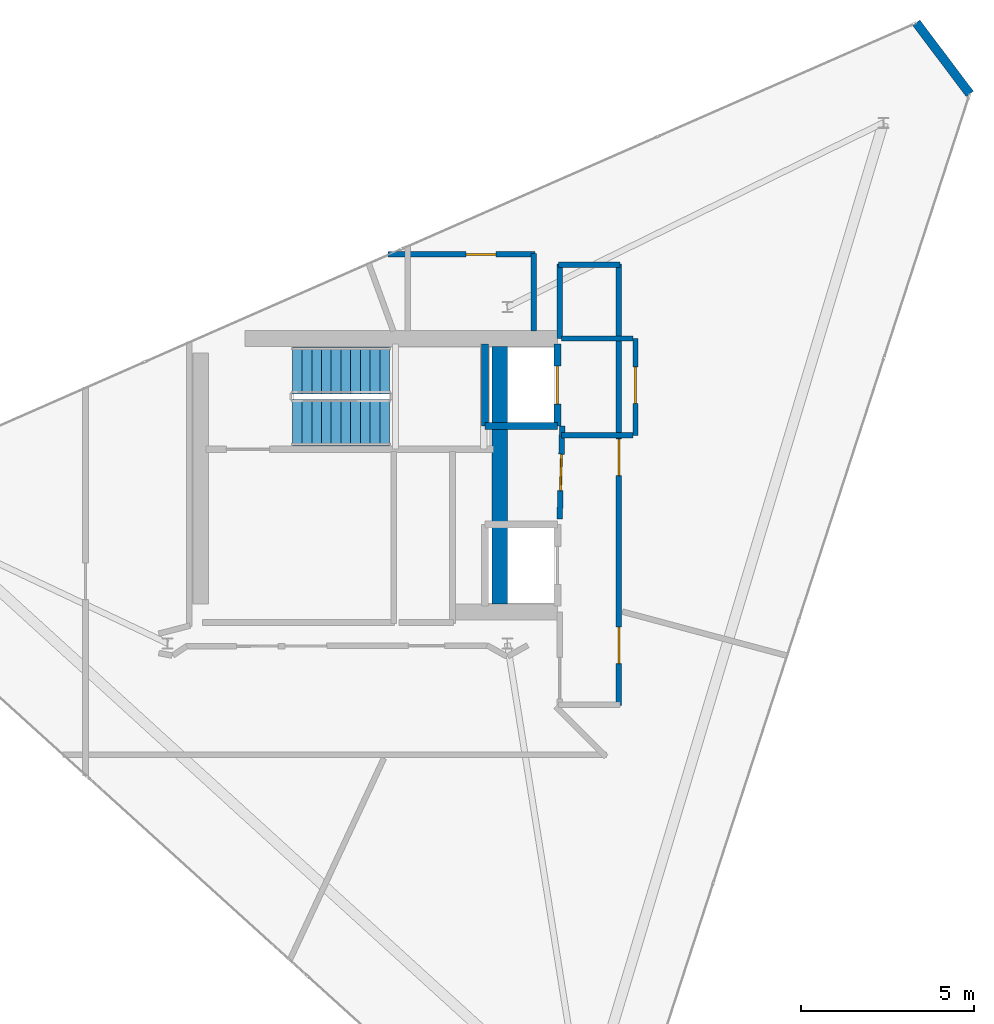
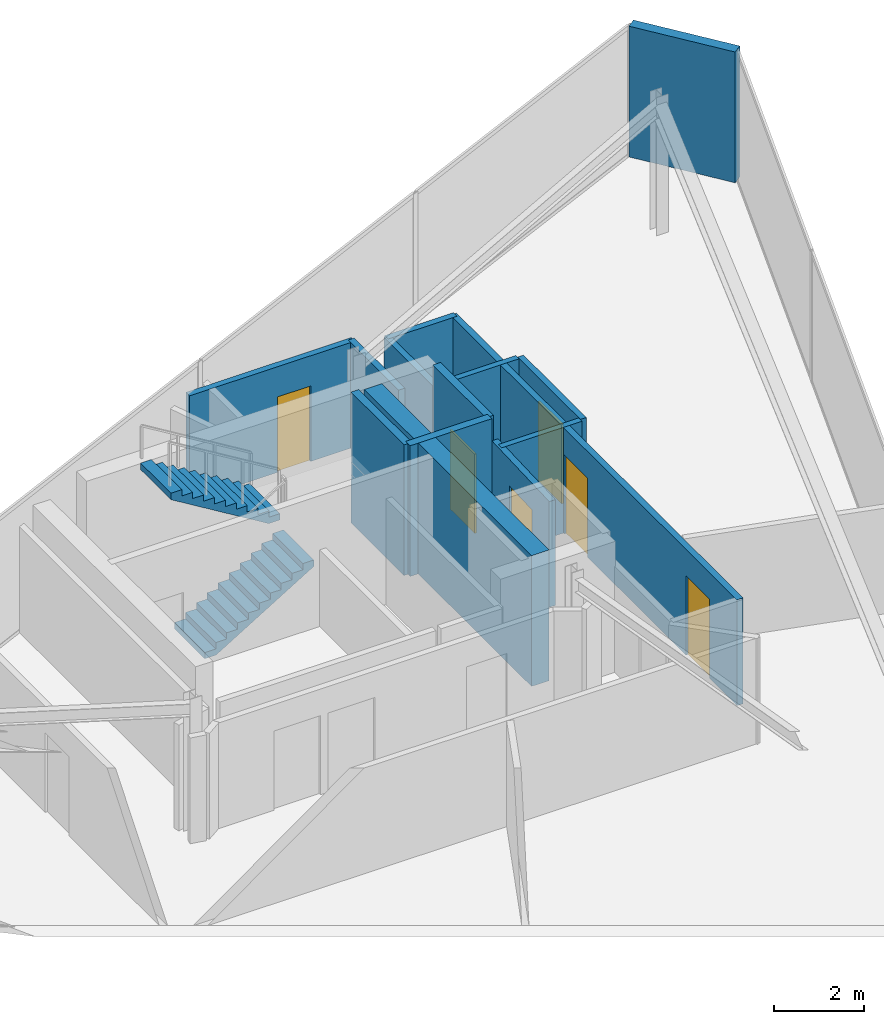
# One storey, part 13 of 14: 14 walls, 6 doors, 2 stair flights, 6 openings, 1 element without a shape of its own.
"""IFC4 building model written with IfcOpenShell, lengths in metres."""

from ifc_helpers import new_model, si_unit, direction, frame, frame_2d, origin, place, context, subcontext, project, spatial, polyline, rectangle, outline, extrude, material, layer, layer_set, type_object, element, fill, aggregate, save


model = new_model("IFC4")

# Units and contexts
model_context = context("Model", 3, precision=1e-05, world=origin(), true_north=direction((0.0, 1.0)))
body_context = subcontext(model_context, "Body", "Model", "MODEL_VIEW")
ifc_project = project(units=[si_unit("LENGTHUNIT", "METRE"), si_unit("AREAUNIT", "SQUARE_METRE"), si_unit("VOLUMEUNIT", "CUBIC_METRE"), si_unit("PLANEANGLEUNIT", "RADIAN"), si_unit("MASSUNIT", "GRAM", prefix="KILO")], contexts=[model_context])

# Site, building, storey
site_placement = place(None, origin())
site = spatial("IfcSite", under=ifc_project, at=site_placement, CompositionType="ELEMENT")
building_placement = place(site_placement, origin())
building = spatial("IfcBuilding", under=site, at=building_placement, Name="Qianvela Tower", CompositionType="ELEMENT")
storey_placement = place(building_placement, frame((0.0, 0.0, 371.300048828125)))
storey = spatial("IfcBuildingStorey", under=building, at=storey_placement, Name="L96", CompositionType="ELEMENT", Elevation=371.300048828125)

# Walls
ifc_material_1 = material(Name="Terracotta Cladding on Concrete C40", Category="masonry")
ifc_layer_1 = layer(ifc_material_1, 0.260009765625)
ifc_layer_set_1 = layer_set([ifc_layer_1], Name="Terracotta Cladding on Concrete C40")
wall_type_1 = type_object("IfcWallType", Name="TERRACOTTA-WALL-260", PredefinedType="SOLIDWALL", material=ifc_layer_set_1)
wall_1_placement = place(storey_placement, frame((51.74365234375, 39.701904296875, 0.0), z_axis=(0.0, 0.0, 1.0), x_axis=(-0.601640351367, 0.798767104736, 0.0)))
element("IfcWall", 1, at=wall_1_placement, inside=storey, type_object=wall_type_1, Name="L96 Crown Terracotta Cladding Wall 1", PredefinedType="SOLIDWALL", context=body_context, shape_type="SweptSolid", body=[
    extrude(rectangle(XDim=2.56982421875, YDim=0.260009765625, at=frame_2d((1.284912109375, 0.0))), origin(), (0.0, 0.0, 1.0), 3.550048828125),
])
ifc_material_2 = material(Name="Concrete C50", Category="concrete")
ifc_layer_2 = layer(ifc_material_2, 0.449951171875)
ifc_layer_set_2 = layer_set([ifc_layer_2], Name="Concrete C50")
wall_type_2 = type_object("IfcWallType", Name="WT-CORE-450", PredefinedType="SHEAR", material=ifc_layer_set_2)
wall_2_placement = place(storey_placement, frame((38.179931640625, 24.97998046875, 0.0), z_axis=(0.0, 0.0, 1.0), x_axis=(0.0, 1.0, 0.0)))
element("IfcWall", 2, at=wall_2_placement, inside=storey, type_object=wall_type_2, Name="L96 East Spine Core Shear Wall", PredefinedType="SHEAR", context=body_context, shape_type="SweptSolid", body=[
    extrude(rectangle(XDim=7.43994140625, YDim=0.449951171875, at=frame_2d((3.719970703125, 0.0))), origin(), (0.0, 0.0, 1.0), 3.550048828125),
])

# Wall, opening, door
ifc_material_3 = material(Name="Fire-Rated Acoustic Gypsum Board")
ifc_layer_3 = layer(ifc_material_3, 0.14990234375)
ifc_layer_set_3 = layer_set([ifc_layer_3], Name="Fire-Rated Acoustic Gypsum Board")
wall_type_3 = type_object("IfcWallType", Name="WT-CORR-150", PredefinedType="PARTITIONING", material=ifc_layer_set_3)
wall_3_placement = place(storey_placement, frame((42.10009765625, 29.85009765625, 0.0), z_axis=(0.0, 0.0, 1.0), x_axis=(0.0, 1.0, 0.0)))
wall_3 = element("IfcWall", 3, at=wall_3_placement, inside=storey, type_object=wall_type_3, Name="L96 Crown Mechanical Plant Partition 1", PredefinedType="PARTITIONING", context=body_context, shape_type="SweptSolid", body=[
    extrude(rectangle(XDim=2.794921875, YDim=0.14990234375, at=frame_2d((1.3974609375, 0.0))), origin(), (0.0, 0.0, 1.0), 2.869873046875),
])
opening_1_placement = place(wall_3_placement, frame((0.925048828125, 0.0, 0.0)))
opening_1 = element("IfcOpeningElement", 4, at=opening_1_placement, cuts=wall_3, Name="Opening D-PL1", PredefinedType="OPENING", context=body_context, shape_type="SweptSolid", body=[
    extrude(rectangle(XDim=1.050048828125, YDim=2.14990234375, at=frame_2d((0.52490234375, 1.074951171875))), frame((0.0, 0.0849609375, 0.0), z_axis=(0.0, -1.0, 0.0), x_axis=(1.0, 0.0, 0.0)), (0.0, 0.0, 1.0), 0.169921875),
])
ifc_material_4 = material(Name="Insulated Steel Fire Door Q355B", Category="steel")
door_type_1 = type_object("IfcDoorType", Name="DT-PLANT-FD90", OperationType="NOTDEFINED", PredefinedType="DOOR", material=ifc_material_4)
door_1_placement = place(opening_1_placement, origin())
door_1 = element("IfcDoor", 5, at=door_1_placement, inside=storey, type_object=door_type_1, Name="L96 Crown Mechanical Plant Room Door", OperationType="SINGLE_SWING_LEFT", OverallHeight=2.14990234375, OverallWidth=1.050048828125, PredefinedType="DOOR", context=body_context, shape_type="SweptSolid", body=[
    extrude(rectangle(XDim=1.050048828125, YDim=2.14990234375, at=frame_2d((0.52490234375, 1.074951171875))), frame((0.0, 0.02490234375, 0.0), z_axis=(0.0, -1.0, 0.0), x_axis=(1.0, 0.0, 0.0)), (0.0, 0.0, 1.0), 0.050048828125),
])
fill(opening_1, door_1)

# Walls
for number, where, z_axis, x_axis, name in (
    (6, (39.9599609375, 29.85009765625, 0.0), (0.0, 0.0, 1.0), (1.0, 0.0, 0.0), "L96 Crown Mechanical Plant Partition 2"),
    (7, (39.9599609375, 32.64501953125, 0.0), (0.0, 0.0, 1.0), (1.0, 0.0, 0.0), "L96 Crown Mechanical Plant Partition 3"),
):
    element("IfcWall", number, at=place(storey_placement, frame(where, z_axis=z_axis, x_axis=x_axis)), inside=storey, type_object=wall_type_3, Name=name, PredefinedType="PARTITIONING", context=body_context, shape_type="SweptSolid", body=[
        extrude(rectangle(XDim=2.06005859375, YDim=0.14990234375, at=frame_2d((1.030029296875, 0.0))), origin(), (0.0, 0.0, 1.0), 2.869873046875),
    ])

# Wall, opening, door
ifc_material_5 = material(Name="Fire-Rated Gypsum and Concrete Block", Category="concrete")
ifc_layer_4 = layer(ifc_material_5, 0.159912109375)
ifc_layer_set_4 = layer_set([ifc_layer_4], Name="Fire-Rated Gypsum and Concrete Block")
wall_type_4 = type_object("IfcWallType", Name="WT-CORR-160", PredefinedType="PARTITIONING", material=ifc_layer_set_4)
wall_4_placement = place(storey_placement, frame((39.910888671875, 27.439208984375, 0.0), z_axis=(0.0, 0.0, 1.0), x_axis=(0.027673579092, 0.999617013171, 0.0)))
wall_4 = element("IfcWall", 8, at=wall_4_placement, inside=storey, type_object=wall_type_4, Name="L96 Partition 7 seg 1", PredefinedType="PARTITIONING", context=body_context, shape_type="SweptSolid", body=[
    extrude(rectangle(XDim=2.681884765625, YDim=0.159912109375, at=frame_2d((1.3408203125, 0.0))), origin(), (0.0, 0.0, 1.0), 2.869873046875),
])
opening_2_placement = place(wall_4_placement, frame((0.81591796875, 0.0, 0.0)))
opening_2 = element("IfcOpeningElement", 9, at=opening_2_placement, cuts=wall_4, Name="Opening D-PL1", PredefinedType="OPENING", context=body_context, shape_type="SweptSolid", body=[
    extrude(rectangle(XDim=1.050048828125, YDim=2.14990234375, at=frame_2d((0.52490234375, 1.074951171875))), frame((0.0, 0.08984375, 0.0), z_axis=(0.0, -1.0, 0.0), x_axis=(1.0, 0.0, 0.0)), (0.0, 0.0, 1.0), 0.179931640625),
])
door_2_placement = place(opening_2_placement, origin())
door_2 = element("IfcDoor", 10, at=door_2_placement, inside=storey, type_object=door_type_1, Name="L96 Door L96 Crown Heat Recovery Mechanical Plant Room to L96 Lift Lobby", OperationType="SINGLE_SWING_LEFT", OverallHeight=2.14990234375, OverallWidth=1.050048828125, PredefinedType="DOOR", context=body_context, shape_type="SweptSolid", body=[
    extrude(rectangle(XDim=1.050048828125, YDim=2.14990234375, at=frame_2d((0.52490234375, 1.074951171875))), frame((0.0, 0.02490234375, 0.0), z_axis=(0.0, -1.0, 0.0), x_axis=(1.0, 0.0, 0.0)), (0.0, 0.0, 1.0), 0.050048828125),
])
fill(opening_2, door_2)

# Walls
wall_5_placement = place(storey_placement, frame((39.910888671875, 32.639892578125, 0.0), z_axis=(0.0, 0.0, 1.0), x_axis=(0.0, 1.0, 0.0)))
element("IfcWall", 11, at=wall_5_placement, inside=storey, type_object=wall_type_4, Name="L96 Partition 8", PredefinedType="PARTITIONING", context=body_context, shape_type="SweptSolid", body=[
    extrude(rectangle(XDim=2.16015625, YDim=0.159912109375, at=frame_2d((1.080078125, 0.0))), origin(), (0.0, 0.0, 1.0), 2.869873046875),
])
wall_6_placement = place(storey_placement, frame((39.8798828125, 34.76904296875, 0.0), z_axis=(0.0, 0.0, 1.0), x_axis=(1.0, 0.0, 0.0)))
element("IfcWall", 12, at=wall_6_placement, inside=storey, type_object=wall_type_4, Name="L96 Partition 9", PredefinedType="PARTITIONING", context=body_context, shape_type="SweptSolid", body=[
    extrude(rectangle(XDim=1.77001953125, YDim=0.159912109375, at=frame_2d((0.885009765625, 0.0))), origin(), (0.0, 0.0, 1.0), 2.869873046875),
])

# Wall, openings, doors
wall_7_placement = place(storey_placement, frame((41.618896484375, 34.800048828125, 0.0), z_axis=(0.0, 0.0, 1.0), x_axis=(0.0, -1.0, 0.0)))
wall_7 = element("IfcWall", 13, at=wall_7_placement, inside=storey, type_object=wall_type_4, Name="L96 Partition 10", PredefinedType="PARTITIONING", context=body_context, shape_type="SweptSolid", body=[
    extrude(rectangle(XDim=12.75, YDim=0.159912109375, at=frame_2d((6.375, 0.0))), origin(), (0.0, 0.0, 1.0), 2.869873046875),
])
opening_3_placement = place(wall_7_placement, frame((10.482421875, 0.0, 0.0)))
opening_3 = element("IfcOpeningElement", 14, at=opening_3_placement, cuts=wall_7, Name="Opening D-PL1", PredefinedType="OPENING", context=body_context, shape_type="SweptSolid", body=[
    extrude(rectangle(XDim=1.050048828125, YDim=2.14990234375, at=frame_2d((0.52490234375, 1.074951171875))), frame((0.0, 0.08984375, 0.0), z_axis=(0.0, -1.0, 0.0), x_axis=(1.0, 0.0, 0.0)), (0.0, 0.0, 1.0), 0.179931640625),
])
opening_4_placement = place(wall_7_placement, frame((5.058837890625, 0.0, 0.0)))
opening_4 = element("IfcOpeningElement", 15, at=opening_4_placement, cuts=wall_7, Name="Opening D-PL1", PredefinedType="OPENING", context=body_context, shape_type="SweptSolid", body=[
    extrude(rectangle(XDim=1.050048828125, YDim=2.14990234375, at=frame_2d((0.52490234375, 1.074951171875))), frame((0.0, 0.08984375, 0.0), z_axis=(0.0, -1.0, 0.0), x_axis=(1.0, 0.0, 0.0)), (0.0, 0.0, 1.0), 0.179931640625),
])
door_3_placement = place(opening_3_placement, origin())
door_3 = element("IfcDoor", 16, at=door_3_placement, inside=storey, type_object=door_type_1, Name="L96 Door L96 Crown Electrical Switchgear Plant Room to L96 Lift Lobby", OperationType="SINGLE_SWING_LEFT", OverallHeight=2.14990234375, OverallWidth=1.050048828125, PredefinedType="DOOR", context=body_context, shape_type="SweptSolid", body=[
    extrude(rectangle(XDim=1.050048828125, YDim=2.14990234375, at=frame_2d((0.52490234375, 1.074951171875))), frame((0.0, 0.02490234375, 0.0), z_axis=(0.0, -1.0, 0.0), x_axis=(1.0, 0.0, 0.0)), (0.0, 0.0, 1.0), 0.050048828125),
])
fill(opening_3, door_3)
door_4_placement = place(opening_4_placement, origin())
door_4 = element("IfcDoor", 17, at=door_4_placement, inside=storey, type_object=door_type_1, Name="L96 Door L96 Crown Booster Pump Plant Room to L96 Lift Lobby", OperationType="SINGLE_SWING_RIGHT", OverallHeight=2.14990234375, OverallWidth=1.050048828125, PredefinedType="DOOR", context=body_context, shape_type="SweptSolid", body=[
    extrude(rectangle(XDim=1.050048828125, YDim=2.14990234375, at=frame_2d((0.52490234375, 1.074951171875))), frame((0.0, 0.02490234375, 0.0), z_axis=(0.0, -1.0, 0.0), x_axis=(1.0, 0.0, 0.0)), (0.0, 0.0, 1.0), 0.050048828125),
])
fill(opening_4, door_4)

# Wall, opening, door
wall_8_placement = place(storey_placement, frame((34.957275390625, 35.069091796875, 0.0), z_axis=(0.0, 0.0, 1.0), x_axis=(1.0, 0.0, 0.0)))
wall_8 = element("IfcWall", 18, at=wall_8_placement, inside=storey, type_object=wall_type_4, Name="L96 Partition 18", PredefinedType="PARTITIONING", context=body_context, shape_type="SweptSolid", body=[
    extrude(rectangle(XDim=4.24267578125, YDim=0.159912109375, at=frame_2d((2.121337890625, 0.0))), origin(), (0.0, 0.0, 1.0), 2.869873046875),
])
opening_5_placement = place(wall_8_placement, frame((2.251220703125, 0.0, 0.0)))
opening_5 = element("IfcOpeningElement", 19, at=opening_5_placement, cuts=wall_8, Name="Opening D-LB2", PredefinedType="OPENING", context=body_context, shape_type="SweptSolid", body=[
    extrude(rectangle(XDim=0.860107421875, YDim=2.050048828125, at=frame_2d((0.43017578125, 1.02490234375))), frame((0.0, 0.08984375, 0.0), z_axis=(0.0, -1.0, 0.0), x_axis=(1.0, 0.0, 0.0)), (0.0, 0.0, 1.0), 0.179931640625),
])
ifc_material_6 = material(Name="Insulated Steel Fire Door Q355B", Category="steel")
door_type_2 = type_object("IfcDoorType", Name="DT-LOBBY-FD90-860", OperationType="NOTDEFINED", PredefinedType="DOOR", material=ifc_material_6)
door_5_placement = place(opening_5_placement, origin())
door_5 = element("IfcDoor", 20, at=door_5_placement, inside=storey, type_object=door_type_2, Name="L96 Door L96 Reclaimed Shaft Equipment Store to L96 Crown Booster Pump Plant Room", OperationType="SINGLE_SWING_RIGHT", OverallHeight=2.050048828125, OverallWidth=0.860107421875, PredefinedType="DOOR", context=body_context, shape_type="SweptSolid", body=[
    extrude(rectangle(XDim=0.860107421875, YDim=2.050048828125, at=frame_2d((0.43017578125, 1.02490234375))), frame((0.0, 0.02490234375, 0.0), z_axis=(0.0, -1.0, 0.0), x_axis=(1.0, 0.0, 0.0)), (0.0, 0.0, 1.0), 0.050048828125),
])
fill(opening_5, door_5)

# Wall
wall_9_placement = place(storey_placement, frame((39.1689453125, 35.10009765625, 0.0), z_axis=(0.0, 0.0, 1.0), x_axis=(0.0, -1.0, 0.0)))
element("IfcWall", 21, at=wall_9_placement, inside=storey, type_object=wall_type_4, Name="L96 Partition 19", PredefinedType="PARTITIONING", context=body_context, shape_type="SweptSolid", body=[
    extrude(rectangle(XDim=2.2421875, YDim=0.159912109375, at=frame_2d((1.12109375, 0.0))), origin(), (0.0, 0.0, 1.0), 2.869873046875),
])

# Wall, opening, door
ifc_material_7 = material(Name="Concrete C50", Category="concrete")
ifc_layer_5 = layer(ifc_material_7, 0.199951171875)
ifc_layer_set_5 = layer_set([ifc_layer_5], Name="Concrete C50")
wall_type_5 = type_object("IfcWallType", Name="WT-SHAFT-200", PredefinedType="SOLIDWALL", material=ifc_layer_set_5)
wall_10_placement = place(storey_placement, frame((39.85009765625, 30.1201171875, 0.0), z_axis=(0.0, 0.0, 1.0), x_axis=(0.0, 1.0, 0.0)))
wall_10 = element("IfcWall", 22, at=wall_10_placement, inside=storey, type_object=wall_type_5, Name="L96 Lift FL-1 E Shaft Wall", PredefinedType="SOLIDWALL", context=body_context, shape_type="SweptSolid", body=[
    extrude(rectangle(XDim=2.35986328125, YDim=0.199951171875, at=frame_2d((1.179931640625, 0.0))), origin(), (0.0, 0.0, 1.0), 3.550048828125),
])
opening_6_placement = place(wall_10_placement, frame((0.6298828125, 0.0, 0.0)))
opening_6 = element("IfcOpeningElement", 23, at=opening_6_placement, cuts=wall_10, Name="Opening LD-01", PredefinedType="OPENING", context=body_context, shape_type="SweptSolid", body=[
    extrude(rectangle(XDim=1.10009765625, YDim=2.14990234375, at=frame_2d((0.550048828125, 1.074951171875))), frame((0.0, 0.10986328125, 0.0), z_axis=(0.0, -1.0, 0.0), x_axis=(1.0, 0.0, 0.0)), (0.0, 0.0, 1.0), 0.219970703125),
])
ifc_material_8 = material(Name="Brushed Stainless Steel Lift Landing Door", Category="steel")
door_type_3 = type_object("IfcDoorType", Name="DT-LIFT-SLIDE-1100", OperationType="SLIDING_TO_LEFT", PredefinedType="DOOR", material=ifc_material_8)
door_6_placement = place(opening_6_placement, origin())
door_6 = element("IfcDoor", 24, at=door_6_placement, inside=storey, type_object=door_type_3, Name="L96 Lift FL-1 Sliding Landing Door", OperationType="SLIDING_TO_LEFT", OverallHeight=2.14990234375, OverallWidth=1.10009765625, PredefinedType="DOOR", context=body_context, shape_type="SweptSolid", body=[
    extrude(rectangle(XDim=1.10009765625, YDim=2.14990234375, at=frame_2d((0.550048828125, 1.074951171875))), frame((0.0, 0.02490234375, 0.0), z_axis=(0.0, -1.0, 0.0), x_axis=(1.0, 0.0, 0.0)), (0.0, 0.0, 1.0), 0.050048828125),
])
fill(opening_6, door_6)

# Walls
wall_11_placement = place(storey_placement, frame((37.75, 30.1201171875, 0.0), z_axis=(0.0, 0.0, 1.0), x_axis=(0.0, 1.0, 0.0)))
element("IfcWall", 25, at=wall_11_placement, inside=storey, type_object=wall_type_5, Name="L96 Lift FL-1 W Shaft Wall", PredefinedType="SOLIDWALL", context=body_context, shape_type="SweptSolid", body=[
    extrude(rectangle(XDim=2.35986328125, YDim=0.199951171875, at=frame_2d((1.179931640625, 0.0))), origin(), (0.0, 0.0, 1.0), 3.550048828125),
])
wall_12_placement = place(storey_placement, frame((37.75, 30.1201171875, 0.0), z_axis=(0.0, 0.0, 1.0), x_axis=(1.0, 0.0, 0.0)))
element("IfcWall", 26, at=wall_12_placement, inside=storey, type_object=wall_type_5, Name="L96 Lift FL-1 S Shaft Wall", PredefinedType="SOLIDWALL", context=body_context, shape_type="SweptSolid", body=[
    extrude(rectangle(XDim=2.10009765625, YDim=0.199951171875, at=frame_2d((1.050048828125, 0.0))), origin(), (0.0, 0.0, 1.0), 3.550048828125),
])

# Stair, stair flights
ifc_material_9 = material(Name="Concrete C40", Category="concrete")
stair_type = type_object("IfcStairType", Name="ST-DOGLEG-1350-R170-N22", PredefinedType="HALF_TURN_STAIR", material=ifc_material_9)
stair_placement = place(storey_placement, origin())
stair = element("IfcStair", 27, at=stair_placement, inside=storey, type_object=stair_type, Name="L96 Smoke-Proof Core Stair ST-1", PredefinedType="HALF_TURN_STAIR")
ifc_material_10 = material(Name="Concrete C40", Category="concrete")
stair_flight_type = type_object("IfcStairFlightType", Name="STF-STRAIGHT-R170-P11", PredefinedType="STRAIGHT", material=ifc_material_10)
stair_flight_1_placement = place(storey_placement, frame((32.199951171875, 30.215087890625, 0.0), z_axis=(0.0, 0.0, 1.0), x_axis=(1.0, 0.0, 0.0)))
stair_flight_1 = element("IfcStairFlight", 28, at=stair_flight_1_placement, type_object=stair_flight_type, Name="ST-1 flight 1", NumberOfRisers=11, NumberOfTreads=10, PredefinedType="STRAIGHT", RiserHeight=0.170454545, TreadLength=0.28, context=body_context, shape_type="SweptSolid", body=[
    extrude(outline(polyline([(0.0, 0.0), (0.0, 0.17041015625), (0.280029296875, 0.17041015625), (0.280029296875, 0.3408203125), (0.56005859375, 0.3408203125), (0.56005859375, 0.511474609375), (0.840087890625, 0.511474609375), (0.840087890625, 0.681884765625), (1.1201171875, 0.681884765625), (1.1201171875, 0.852294921875), (1.39990234375, 0.852294921875), (1.39990234375, 1.022705078125), (1.679931640625, 1.022705078125), (1.679931640625, 1.193115234375), (1.9599609375, 1.193115234375), (1.9599609375, 1.363525390625), (2.239990234375, 1.363525390625), (2.239990234375, 1.5341796875), (2.52001953125, 1.5341796875), (2.52001953125, 1.70458984375), (2.800048828125, 1.70458984375), (2.800048828125, 1.875), (2.800048828125, 1.529052734375), (0.288330078125, 0.0), (0.0, 0.0)])), frame((0.0, 0.675048828125, 0.0), z_axis=(0.0, -1.0, 0.0), x_axis=(1.0, 0.0, 0.0)), (0.0, 0.0, 1.0), 1.35009765625),
])
stair_flight_2_placement = place(storey_placement, frame((35.0, 31.72509765625, 1.875), z_axis=(0.0, 0.0, 1.0), x_axis=(-1.0, 0.0, 0.0)))
stair_flight_2 = element("IfcStairFlight", 29, at=stair_flight_2_placement, type_object=stair_flight_type, Name="ST-1 flight 2", NumberOfRisers=11, NumberOfTreads=10, PredefinedType="STRAIGHT", RiserHeight=0.170454545, TreadLength=0.28, context=body_context, shape_type="SweptSolid", body=[
    extrude(outline(polyline([(0.0, 0.0), (0.0, 0.17041015625), (0.280029296875, 0.17041015625), (0.280029296875, 0.3408203125), (0.56005859375, 0.3408203125), (0.56005859375, 0.511474609375), (0.840087890625, 0.511474609375), (0.840087890625, 0.681884765625), (1.1201171875, 0.681884765625), (1.1201171875, 0.852294921875), (1.39990234375, 0.852294921875), (1.39990234375, 1.022705078125), (1.679931640625, 1.022705078125), (1.679931640625, 1.193115234375), (1.9599609375, 1.193115234375), (1.9599609375, 1.363525390625), (2.239990234375, 1.363525390625), (2.239990234375, 1.5341796875), (2.52001953125, 1.5341796875), (2.52001953125, 1.70458984375), (2.800048828125, 1.70458984375), (2.800048828125, 1.875), (2.800048828125, 1.529052734375), (0.288330078125, 0.0), (0.0, 0.0)])), frame((0.0, 0.675048828125, 0.0), z_axis=(0.0, -1.0, 0.0), x_axis=(1.0, 0.0, 0.0)), (0.0, 0.0, 1.0), 1.35009765625),
])
aggregate(stair, [stair_flight_1, stair_flight_2])

save(model, "model.ifc")
